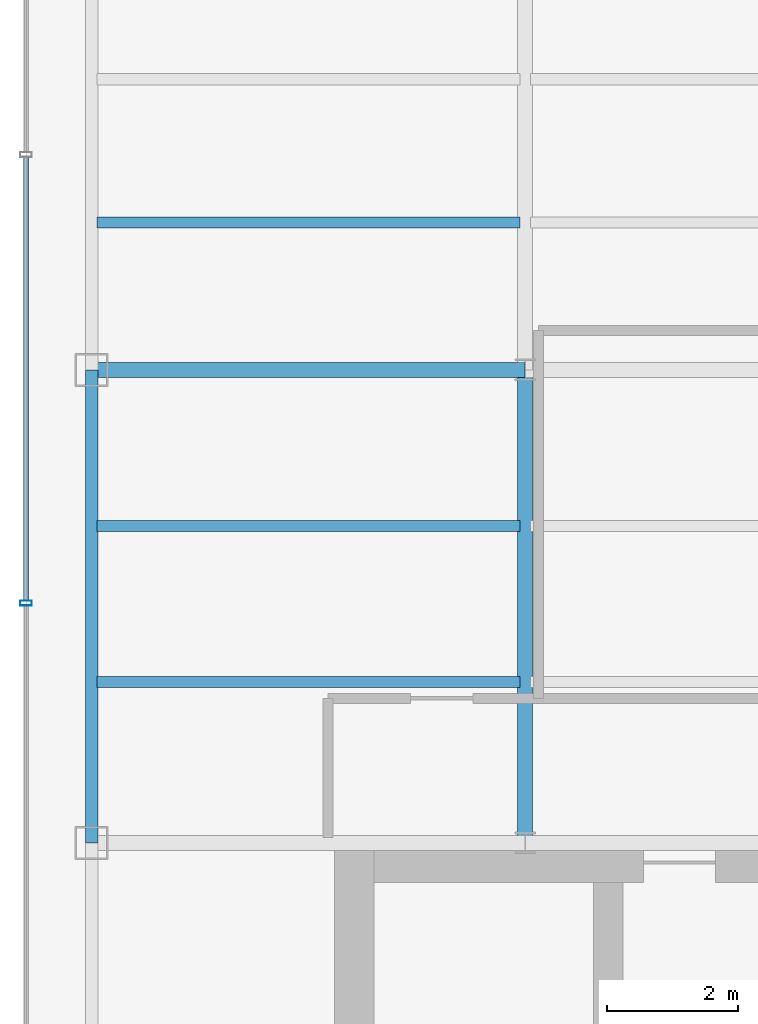
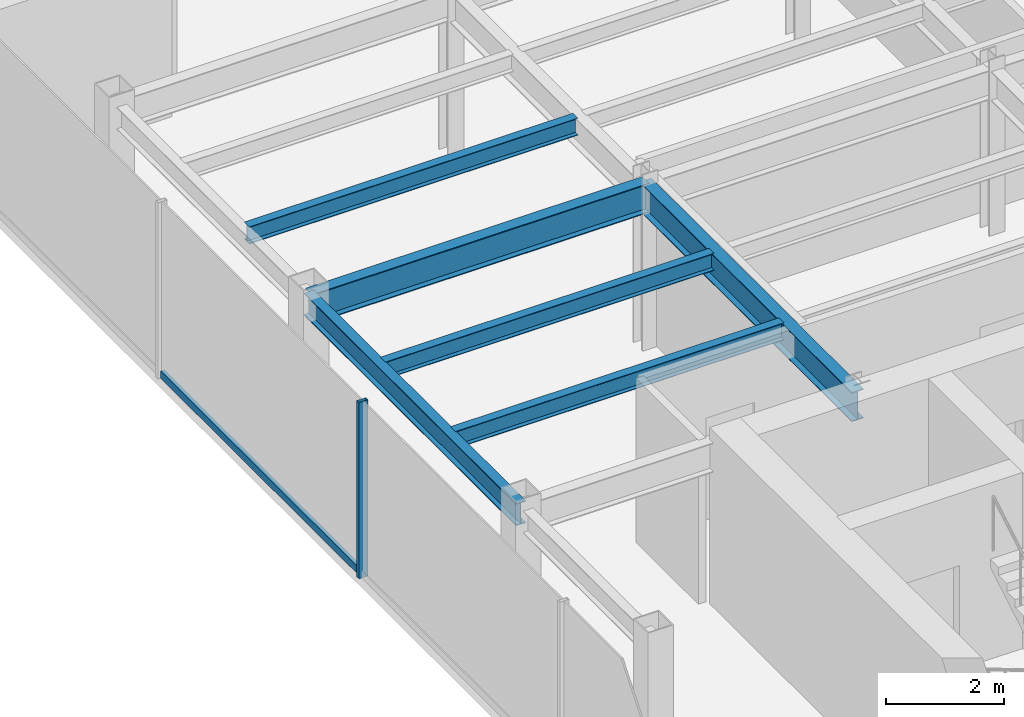
# One storey, part 5 of 22: 6 beams, 2 members, 1 element without a shape of its own.
"""IFC4 building model written with IfcOpenShell, lengths in metres."""

from ifc_helpers import new_model, si_unit, derived_unit, direction, frame, origin, origin_2d, place, context, subcontext, project, spatial, hollow_rectangle, i_section, extrude, source, transform, mapped, material, material_profile, profile_set, type_object, element, aggregate, save


model = new_model("IFC4")

# Units and contexts
model_context = context("Model", 3, precision=1e-05, world=origin(), true_north=direction((0.0, 1.0)))
body_context = subcontext(model_context, "Body", "Model", "MODEL_VIEW")
ifc_project = project(units=[si_unit("LENGTHUNIT", "METRE"), si_unit("AREAUNIT", "SQUARE_METRE"), si_unit("VOLUMEUNIT", "CUBIC_METRE"), si_unit("PLANEANGLEUNIT", "RADIAN"), si_unit("MASSUNIT", "GRAM", prefix="KILO"), derived_unit("THERMALTRANSMITTANCEUNIT", [(si_unit("POWERUNIT", "WATT"), 1), (si_unit("LENGTHUNIT", "METRE"), -2), (si_unit("THERMODYNAMICTEMPERATUREUNIT", "KELVIN"), -1)])], contexts=[model_context])

# Site, building, storey
site_placement = place(None, origin())
site = spatial("IfcSite", under=ifc_project, at=site_placement, CompositionType="ELEMENT")
building_placement = place(site_placement, origin())
building = spatial("IfcBuilding", under=site, at=building_placement, Name="Skarnbrae Concourse Arena and Tower", CompositionType="ELEMENT")
storey_placement = place(building_placement, frame((0.0, 0.0, 217.800048828125)))
storey = spatial("IfcBuildingStorey", under=building, at=storey_placement, Name="L56", CompositionType="ELEMENT", Elevation=217.800048828125)

# Beams
ifc_material_1 = material(Name="Steel CSA G40.21 350W", Category="steel")
ifc_material_profile_1 = material_profile(ifc_material_1, i_section(OverallWidth=0.22802734375, OverallDepth=0.60791015625, WebThickness=0.01123046875, FlangeThickness=0.017333984375, at=origin_2d()), Name="W610X113")
ifc_profile_set_1 = profile_set([ifc_material_profile_1], Name="Steel CSA G40.21 350W")
beam_type_1 = type_object("IfcBeamType", Name="BM-GIRD-W610X113", PredefinedType="BEAM", material=ifc_profile_set_1)
shared_shape_1 = source(origin(), body_context, "Body", "SweptSolid", [
    extrude(i_section(OverallWidth=0.22802734375, OverallDepth=0.60791015625, WebThickness=0.01123046875, FlangeThickness=0.017333984375, at=origin_2d()), origin(), (0.0, 0.0, 1.0), 6.60009765625),
])
beam_1_placement = place(storey_placement, frame((1.0, 21.199951171875, 3.095947265625), z_axis=(1.0, 0.0, 0.0), x_axis=(0.0, 1.0, 0.0)))
element("IfcBeam", 1, at=beam_1_placement, inside=storey, type_object=beam_type_1, Name="L56 Primary E-W girder Y21.2-1", PredefinedType="BEAM", context=body_context, shape_type="MappedRepresentation", body=[
    mapped(shared_shape_1, transform((0.0, 0.0, 0.0))),
])
ifc_material_profile_2 = material_profile(ifc_material_1, i_section(OverallWidth=0.19091796875, OverallDepth=0.4599609375, WebThickness=0.010009765625, FlangeThickness=0.01611328125, at=origin_2d()), Name="W460X82")
ifc_profile_set_2 = profile_set([ifc_material_profile_2], Name="Steel CSA G40.21 350W")
beam_type_2 = type_object("IfcBeamType", Name="BM-SPAN-W460X82", PredefinedType="SPANDREL", material=ifc_profile_set_2)
shared_shape_2 = source(origin(), body_context, "Body", "SweptSolid", [
    extrude(i_section(OverallWidth=0.19091796875, OverallDepth=0.4599609375, WebThickness=0.010009765625, FlangeThickness=0.01611328125, at=origin_2d()), origin(), (0.0, 0.0, 1.0), 7.199951171875),
])
beam_2_placement = place(storey_placement, frame((1.0, 14.0, 3.169921875), z_axis=(0.0, 1.0, 0.0), x_axis=(-1.0, 0.0, 0.0)))
element("IfcBeam", 2, at=beam_2_placement, inside=storey, type_object=beam_type_2, Name="L56 Perimeter spandrel X1.0-2", PredefinedType="SPANDREL", context=body_context, shape_type="MappedRepresentation", body=[
    mapped(shared_shape_2, transform((0.0, 0.0, 0.0))),
])
shared_shape_3 = source(origin(), body_context, "Body", "SweptSolid", [
    extrude(i_section(OverallWidth=0.22802734375, OverallDepth=0.60791015625, WebThickness=0.01123046875, FlangeThickness=0.017333984375, at=origin_2d()), origin(), (0.0, 0.0, 1.0), 7.199951171875),
])
beam_3_placement = place(storey_placement, frame((7.60009765625, 14.0, 3.095947265625), z_axis=(0.0, 1.0, 0.0), x_axis=(-1.0, 0.0, 0.0)))
element("IfcBeam", 3, at=beam_3_placement, inside=storey, type_object=beam_type_1, Name="L56 Primary N-S girder X7.6-1", PredefinedType="BEAM", context=body_context, shape_type="MappedRepresentation", body=[
    mapped(shared_shape_3, transform((0.0, 0.0, 0.0))),
])
ifc_material_profile_3 = material_profile(ifc_material_1, i_section(OverallWidth=0.1708984375, OverallDepth=0.35498046875, WebThickness=0.007080078125, FlangeThickness=0.01171875, at=origin_2d()), Name="W360X51")
ifc_profile_set_3 = profile_set([ifc_material_profile_3], Name="Steel CSA G40.21 350W")
beam_type_3 = type_object("IfcBeamType", Name="BM-JOIST-W360X51", PredefinedType="JOIST", material=ifc_profile_set_3)
shared_shape_4 = source(origin(), body_context, "Body", "SweptSolid", [
    extrude(i_section(OverallWidth=0.1708984375, OverallDepth=0.35498046875, WebThickness=0.007080078125, FlangeThickness=0.01171875, at=origin_2d()), origin(), (0.0, 0.0, 1.0), 6.43994140625),
])
for number, where, z_axis, x_axis, name in (
    (4, (1.080078125, 16.447998046875, 3.222412109375), (1.0, 0.0, 0.0), (0.0, 1.0, 0.0), "L56 Secondary floor joist 1.1.1"),
    (5, (1.080078125, 18.823974609375, 3.222412109375), (1.0, 0.0, 0.0), (0.0, 1.0, 0.0), "L56 Secondary floor joist 1.2.1"),
    (6, (1.080078125, 23.444091796875, 3.222412109375), (1.0, 0.0, 0.0), (0.0, 1.0, 0.0), "L56 Secondary floor joist 2.1.1"),
):
    element("IfcBeam", number, at=place(storey_placement, frame(where, z_axis=z_axis, x_axis=x_axis)), inside=storey, type_object=beam_type_3, Name=name, PredefinedType="JOIST", context=body_context, shape_type="MappedRepresentation", body=[
        mapped(shared_shape_4, transform((0.0, 0.0, 0.0))),
    ])

# Curtain wall, members
ifc_material_2 = material(Name="Bronze anodised aluminium 6063-T6", Category="aluminium")
curtain_wall_type = type_object("IfcCurtainWallType", Name="CW-SYS-05-HIGHZONE", PredefinedType="USERDEFINED", material=ifc_material_2)
curtain_wall_placement = place(storey_placement, origin())
curtain_wall = element("IfcCurtainWall", 7, at=curtain_wall_placement, inside=storey, type_object=curtain_wall_type, Name="L56 Unitised curtain wall CW-L56-E18", ObjectType="UNITISED CURTAIN WALL", PredefinedType="USERDEFINED")
ifc_material_profile_4 = material_profile(ifc_material_2, hollow_rectangle(XDim=0.074951171875, YDim=0.179931640625, WallThickness=0.00390625, at=origin_2d()), Name="ALU-MULL-75X180")
ifc_profile_set_4 = profile_set([ifc_material_profile_4], Name="Bronze anodised aluminium 6063-T6")
member_type_1 = type_object("IfcMemberType", Name="CWM-CW-05", PredefinedType="MULLION", material=ifc_profile_set_4)
shared_shape_5 = source(origin(), body_context, "Body", "SweptSolid", [
    extrude(hollow_rectangle(XDim=0.074951171875, YDim=0.179931640625, WallThickness=0.00390625, at=origin_2d()), origin(), (0.0, 0.0, 1.0), 3.64990234375),
])
member_1_placement = place(storey_placement, frame((0.0, 17.64990234375, 0.0), z_axis=(0.0, 0.0, 1.0), x_axis=(0.0, -1.0, 0.0)))
member_1 = element("IfcMember", 8, at=member_1_placement, type_object=member_type_1, Name="CW-L56-E18 Mullion 3", PredefinedType="MULLION", context=body_context, shape_type="MappedRepresentation", body=[
    mapped(shared_shape_5, transform((0.0, 0.0, 0.0))),
])
ifc_material_profile_5 = material_profile(ifc_material_2, hollow_rectangle(XDim=0.074951171875, YDim=0.14990234375, WallThickness=0.00390625, at=origin_2d()), Name="ALU-TRAN-75X150")
ifc_profile_set_5 = profile_set([ifc_material_profile_5], Name="Bronze anodised aluminium 6063-T6")
member_type_2 = type_object("IfcMemberType", Name="CWT-CW-05", PredefinedType="USERDEFINED", material=ifc_profile_set_5)
shared_shape_6 = source(origin(), body_context, "Body", "SweptSolid", [
    extrude(hollow_rectangle(XDim=0.074951171875, YDim=0.14990234375, WallThickness=0.00390625, at=origin_2d()), origin(), (0.0, 0.0, 1.0), 6.75),
])
member_2_placement = place(storey_placement, frame((0.0, 24.4375, 0.074951171875), z_axis=(0.0, -1.0, 0.0), x_axis=(1.0, 0.0, 0.0)))
member_2 = element("IfcMember", 9, at=member_2_placement, type_object=member_type_2, Name="CW-L56-E18 Transom 2", ObjectType="TRANSOM", PredefinedType="USERDEFINED", context=body_context, shape_type="MappedRepresentation", body=[
    mapped(shared_shape_6, transform((0.0, 0.0, 0.0))),
])
aggregate(curtain_wall, [member_1, member_2])

save(model, "model.ifc")
